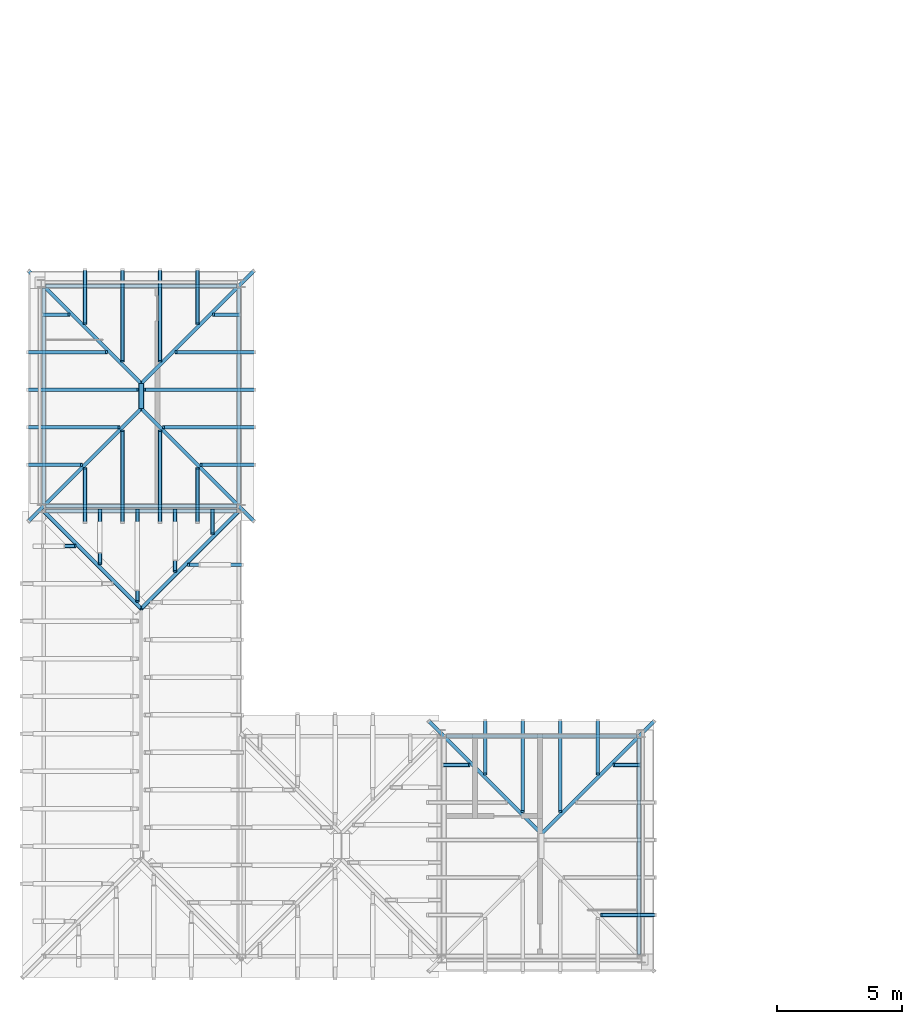
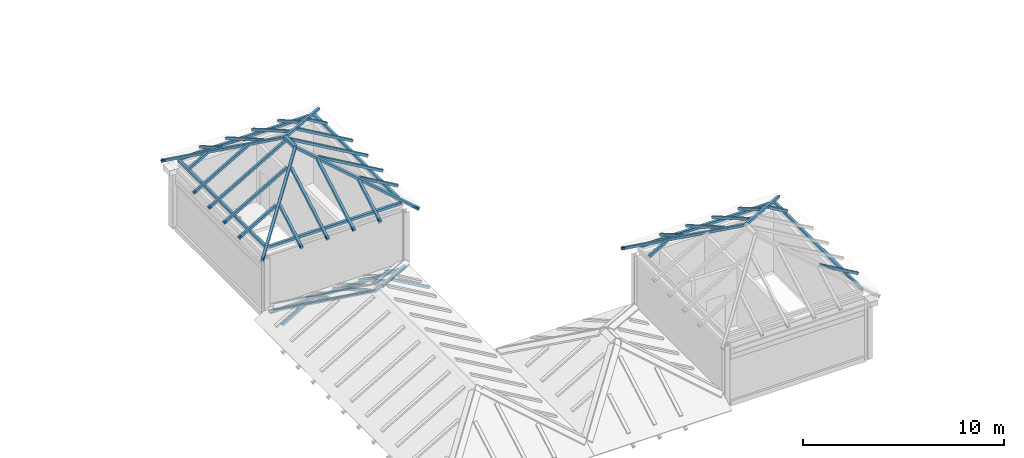
# One storey, part 16 of 111: 47 members.
"""IFC4 building model written with IfcOpenShell, lengths in metres."""

from ifc_helpers import new_model, si_unit, direction, frame, origin, origin_2d, place, context, subcontext, project, spatial, hollow_rectangle, extrude, material, material_profile, profile_set, type_object, element, save


model = new_model("IFC4")

# Units and contexts
model_context = context("Model", 3, precision=1e-05, world=origin(), true_north=direction((0.0, 1.0)))
body_context = subcontext(model_context, "Body", "Model", "MODEL_VIEW")
ifc_project = project(units=[si_unit("LENGTHUNIT", "METRE"), si_unit("AREAUNIT", "SQUARE_METRE"), si_unit("VOLUMEUNIT", "CUBIC_METRE"), si_unit("PLANEANGLEUNIT", "RADIAN"), si_unit("MASSUNIT", "GRAM", prefix="KILO")], contexts=[model_context])

# Site, building, storey
site_placement = place(None, origin())
site = spatial("IfcSite", under=ifc_project, at=site_placement, CompositionType="ELEMENT")
building_placement = place(site_placement, origin())
building = spatial("IfcBuilding", under=site, at=building_placement, Name="Kallimachos Central Library", CompositionType="ELEMENT")
storey_placement = place(building_placement, frame((0.0, 0.0, 14.39990234375)))
storey = spatial("IfcBuildingStorey", under=building, at=storey_placement, Name="L03", CompositionType="ELEMENT", Elevation=14.39990234375)

# Members
ifc_material_1 = material(Name="Steel S355J2H", Category="steel")
ifc_material_profile_1 = material_profile(ifc_material_1, hollow_rectangle(XDim=0.14990234375, YDim=0.14990234375, WallThickness=0.010009765625, InnerFilletRadius=0.010009765625, OuterFilletRadius=0.014892578125, at=origin_2d()), Name="SHS 150x150x10")
ifc_profile_set_1 = profile_set([ifc_material_profile_1], Name="Steel S355J2H")
member_type_1 = type_object("IfcMemberType", Name="SHS 150x150x10 eaves bearer", PredefinedType="STRINGER", material=ifc_profile_set_1)
for number, where, z_axis, x_axis, name in (
    (1, (6.175048828125, 26.89990234375, 0.22509765625), (1.0, 0.0, 0.0), (0.0, 1.0, 0.0), "R2 eaves bearer N"),
    (2, (22.175048828125, 17.89990234375, 4.0751953125), (1.0, 0.0, 0.0), (0.0, 1.0, 0.0), "R3 eaves bearer N"),
):
    element("IfcMember", number, at=place(storey_placement, frame(where, z_axis=z_axis, x_axis=x_axis)), inside=storey, type_object=member_type_1, Name=name, PredefinedType="STRINGER", context=body_context, shape_type="SweptSolid", body=[
        extrude(hollow_rectangle(XDim=0.14990234375, YDim=0.14990234375, WallThickness=0.010009765625, InnerFilletRadius=0.010009765625, OuterFilletRadius=0.014892578125, at=origin_2d()), origin(), (0.0, 0.0, 1.0), 7.64990234375),
    ])
member_1_placement = place(storey_placement, frame((29.89990234375, 9.175048828125, 4.0751953125), z_axis=(0.0, 1.0, 0.0), x_axis=(-1.0, 0.0, 0.0)))
element("IfcMember", 3, at=member_1_placement, inside=storey, type_object=member_type_1, Name="R3 eaves bearer E", PredefinedType="STRINGER", context=body_context, shape_type="SweptSolid", body=[
    extrude(hollow_rectangle(XDim=0.14990234375, YDim=0.14990234375, WallThickness=0.010009765625, InnerFilletRadius=0.010009765625, OuterFilletRadius=0.014892578125, at=origin_2d()), origin(), (0.0, 0.0, 1.0), 8.64990234375),
])
for number, where, z_axis, x_axis, name in (
    (4, (6.175048828125, 27.10009765625, 4.0751953125), (1.0, 0.0, 0.0), (0.0, 1.0, 0.0), "R4 eaves bearer S"),
    (5, (6.175048828125, 35.89990234375, 4.0751953125), (1.0, 0.0, 0.0), (0.0, 1.0, 0.0), "R4 eaves bearer N"),
):
    element("IfcMember", number, at=place(storey_placement, frame(where, z_axis=z_axis, x_axis=x_axis)), inside=storey, type_object=member_type_1, Name=name, PredefinedType="STRINGER", context=body_context, shape_type="SweptSolid", body=[
        extrude(hollow_rectangle(XDim=0.14990234375, YDim=0.14990234375, WallThickness=0.010009765625, InnerFilletRadius=0.010009765625, OuterFilletRadius=0.014892578125, at=origin_2d()), origin(), (0.0, 0.0, 1.0), 7.64990234375),
    ])
for number, where, z_axis, x_axis, name in (
    (6, (6.10009765625, 27.175048828125, 4.0751953125), (0.0, 1.0, 0.0), (-1.0, 0.0, 0.0), "R4 eaves bearer W"),
    (7, (13.89990234375, 27.175048828125, 4.0751953125), (0.0, 1.0, 0.0), (-1.0, 0.0, 0.0), "R4 eaves bearer E"),
):
    element("IfcMember", number, at=place(storey_placement, frame(where, z_axis=z_axis, x_axis=x_axis)), inside=storey, type_object=member_type_1, Name=name, PredefinedType="STRINGER", context=body_context, shape_type="SweptSolid", body=[
        extrude(hollow_rectangle(XDim=0.14990234375, YDim=0.14990234375, WallThickness=0.010009765625, InnerFilletRadius=0.010009765625, OuterFilletRadius=0.014892578125, at=origin_2d()), origin(), (0.0, 0.0, 1.0), 8.64990234375),
    ])
ifc_material_2 = material(Name="Steel S355J2H", Category="steel")
ifc_material_profile_2 = material_profile(ifc_material_2, hollow_rectangle(XDim=0.14990234375, YDim=0.14990234375, WallThickness=0.010009765625, InnerFilletRadius=0.010009765625, OuterFilletRadius=0.014892578125, at=origin_2d()), Name="SHS 150x150x10")
ifc_profile_set_2 = profile_set([ifc_material_profile_2], Name="Steel S355J2H")
member_type_2 = type_object("IfcMemberType", Name="SHS 150x150x10 rafter", PredefinedType="RAFTER", material=ifc_profile_set_2)
member_2_placement = place(storey_placement, frame((8.35009765625, 26.949951171875, 0.35791015625), z_axis=(0.0, -0.866017682129, 0.500013374061), x_axis=(1.0, 0.0, 0.0)))
element("IfcMember", 8, at=member_2_placement, inside=storey, type_object=member_type_2, Name="R2 rafter", PredefinedType="RAFTER", context=body_context, shape_type="SweptSolid", body=[
    extrude(hollow_rectangle(XDim=0.14990234375, YDim=0.14990234375, WallThickness=0.010009765625, InnerFilletRadius=0.010009765625, OuterFilletRadius=0.014892578125, at=origin_2d()), origin(), (0.0, 0.0, 1.0), 2.494140625),
])
member_3_placement = place(storey_placement, frame((9.85009765625, 26.949951171875, 0.35791015625), z_axis=(0.0, -0.866026851788, 0.499997491977), x_axis=(1.0, 0.0, 0.0)))
element("IfcMember", 9, at=member_3_placement, inside=storey, type_object=member_type_2, Name="R2 rafter", PredefinedType="RAFTER", context=body_context, shape_type="SweptSolid", body=[
    extrude(hollow_rectangle(XDim=0.14990234375, YDim=0.14990234375, WallThickness=0.010009765625, InnerFilletRadius=0.010009765625, OuterFilletRadius=0.014892578125, at=origin_2d()), origin(), (0.0, 0.0, 1.0), 4.22607421875),
])
member_4_placement = place(storey_placement, frame((11.35009765625, 26.949951171875, 0.35791015625), z_axis=(0.0, -0.866039595027, 0.499975419241), x_axis=(1.0, 0.0, 0.0)))
element("IfcMember", 10, at=member_4_placement, inside=storey, type_object=member_type_2, Name="R2 rafter", PredefinedType="RAFTER", context=body_context, shape_type="SweptSolid", body=[
    extrude(hollow_rectangle(XDim=0.14990234375, YDim=0.14990234375, WallThickness=0.010009765625, InnerFilletRadius=0.010009765625, OuterFilletRadius=0.014892578125, at=origin_2d()), origin(), (0.0, 0.0, 1.0), 2.840576171875),
])
member_5_placement = place(storey_placement, frame((12.85009765625, 26.949951171875, 0.35791015625), z_axis=(0.0, -0.866038875684, 0.49997666526), x_axis=(1.0, 0.0, 0.0)))
element("IfcMember", 11, at=member_5_placement, inside=storey, type_object=member_type_2, Name="R2 rafter", PredefinedType="RAFTER", context=body_context, shape_type="SweptSolid", body=[
    extrude(hollow_rectangle(XDim=0.14990234375, YDim=0.14990234375, WallThickness=0.010009765625, InnerFilletRadius=0.010009765625, OuterFilletRadius=0.014892578125, at=origin_2d()), origin(), (0.0, 0.0, 1.0), 1.1083984375),
])
member_6_placement = place(storey_placement, frame((6.050048828125, 25.5, 0.35791015625), z_axis=(0.866029704776, 0.0, 0.49999255039), x_axis=(0.0, 1.0, 0.0)))
element("IfcMember", 12, at=member_6_placement, inside=storey, type_object=member_type_2, Name="R2 rafter", PredefinedType="RAFTER", context=body_context, shape_type="SweptSolid", body=[
    extrude(hollow_rectangle(XDim=0.14990234375, YDim=0.14990234375, WallThickness=0.010009765625, InnerFilletRadius=0.010009765625, OuterFilletRadius=0.014892578125, at=origin_2d()), origin(), (0.0, 0.0, 1.0), 1.5126953125),
])
for number, where, z_axis, x_axis, name in (
    (13, (14.050048828125, 24.75, 0.300048828125), (-0.866042152399, 0.0, 0.499970989427), (0.0, -1.0, 0.0), "R2 rafter"),
    (14, (23.75, 18.550048828125, 3.861328125), (0.0, -0.866042152399, 0.499970989427), (1.0, 0.0, 0.0), "R3 rafter"),
):
    element("IfcMember", number, at=place(storey_placement, frame(where, z_axis=z_axis, x_axis=x_axis)), inside=storey, type_object=member_type_2, Name=name, PredefinedType="RAFTER", context=body_context, shape_type="SweptSolid", body=[
        extrude(hollow_rectangle(XDim=0.14990234375, YDim=0.14990234375, WallThickness=0.010009765625, InnerFilletRadius=0.010009765625, OuterFilletRadius=0.014892578125, at=origin_2d()), origin(), (0.0, 0.0, 1.0), 2.494384765625),
    ])
for number, where, z_axis, x_axis, name in (
    (15, (25.25, 18.550048828125, 3.861328125), (0.0, -0.866016279763, 0.500015802937), (1.0, 0.0, 0.0), "R3 rafter"),
    (16, (26.75, 18.550048828125, 3.861328125), (0.0, -0.866016279763, 0.500015802937), (1.0, 0.0, 0.0), "R3 rafter"),
):
    element("IfcMember", number, at=place(storey_placement, frame(where, z_axis=z_axis, x_axis=x_axis)), inside=storey, type_object=member_type_2, Name=name, PredefinedType="RAFTER", context=body_context, shape_type="SweptSolid", body=[
        extrude(hollow_rectangle(XDim=0.14990234375, YDim=0.14990234375, WallThickness=0.010009765625, InnerFilletRadius=0.010009765625, OuterFilletRadius=0.014892578125, at=origin_2d()), origin(), (0.0, 0.0, 1.0), 4.226318359375),
    ])
member_7_placement = place(storey_placement, frame((28.25, 18.550048828125, 3.861328125), z_axis=(0.0, -0.866042152399, 0.499970989427), x_axis=(1.0, 0.0, 0.0)))
element("IfcMember", 17, at=member_7_placement, inside=storey, type_object=member_type_2, Name="R3 rafter", PredefinedType="RAFTER", context=body_context, shape_type="SweptSolid", body=[
    extrude(hollow_rectangle(XDim=0.14990234375, YDim=0.14990234375, WallThickness=0.010009765625, InnerFilletRadius=0.010009765625, OuterFilletRadius=0.014892578125, at=origin_2d()), origin(), (0.0, 0.0, 1.0), 2.494384765625),
])
member_8_placement = place(storey_placement, frame((22.050048828125, 16.75, 4.207763671875), z_axis=(0.866012869334, 0.0, 0.500021709677), x_axis=(0.0, 1.0, 0.0)))
element("IfcMember", 18, at=member_8_placement, inside=storey, type_object=member_type_2, Name="R3 rafter", PredefinedType="RAFTER", context=body_context, shape_type="SweptSolid", body=[
    extrude(hollow_rectangle(XDim=0.14990234375, YDim=0.14990234375, WallThickness=0.010009765625, InnerFilletRadius=0.010009765625, OuterFilletRadius=0.014892578125, at=origin_2d()), origin(), (0.0, 0.0, 1.0), 1.22412109375),
])
member_9_placement = place(storey_placement, frame((30.550048828125, 10.75, 3.861328125), z_axis=(-0.866042152399, 0.0, 0.499970989427), x_axis=(0.0, -1.0, 0.0)))
element("IfcMember", 19, at=member_9_placement, inside=storey, type_object=member_type_2, Name="R3 rafter", PredefinedType="RAFTER", context=body_context, shape_type="SweptSolid", body=[
    extrude(hollow_rectangle(XDim=0.14990234375, YDim=0.14990234375, WallThickness=0.010009765625, InnerFilletRadius=0.010009765625, OuterFilletRadius=0.014892578125, at=origin_2d()), origin(), (0.0, 0.0, 1.0), 2.494384765625),
])
member_10_placement = place(storey_placement, frame((29.949951171875, 16.75, 4.207763671875), z_axis=(-0.866012869334, 0.0, 0.500021709677), x_axis=(0.0, -1.0, 0.0)))
element("IfcMember", 20, at=member_10_placement, inside=storey, type_object=member_type_2, Name="R3 rafter", PredefinedType="RAFTER", context=body_context, shape_type="SweptSolid", body=[
    extrude(hollow_rectangle(XDim=0.14990234375, YDim=0.14990234375, WallThickness=0.010009765625, InnerFilletRadius=0.010009765625, OuterFilletRadius=0.014892578125, at=origin_2d()), origin(), (0.0, 0.0, 1.0), 1.22412109375),
])
member_11_placement = place(storey_placement, frame((7.75, 26.449951171875, 3.861328125), z_axis=(0.0, 0.866042152399, 0.499970989427), x_axis=(-1.0, 0.0, 0.0)))
element("IfcMember", 21, at=member_11_placement, inside=storey, type_object=member_type_2, Name="R4 rafter", PredefinedType="RAFTER", context=body_context, shape_type="SweptSolid", body=[
    extrude(hollow_rectangle(XDim=0.14990234375, YDim=0.14990234375, WallThickness=0.010009765625, InnerFilletRadius=0.010009765625, OuterFilletRadius=0.014892578125, at=origin_2d()), origin(), (0.0, 0.0, 1.0), 2.494384765625),
])
for number, where, z_axis, x_axis, name in (
    (22, (9.25, 26.449951171875, 3.861328125), (0.0, 0.866016279763, 0.500015802937), (-1.0, 0.0, 0.0), "R4 rafter"),
    (23, (10.75, 26.449951171875, 3.861328125), (0.0, 0.866016279763, 0.500015802937), (-1.0, 0.0, 0.0), "R4 rafter"),
):
    element("IfcMember", number, at=place(storey_placement, frame(where, z_axis=z_axis, x_axis=x_axis)), inside=storey, type_object=member_type_2, Name=name, PredefinedType="RAFTER", context=body_context, shape_type="SweptSolid", body=[
        extrude(hollow_rectangle(XDim=0.14990234375, YDim=0.14990234375, WallThickness=0.010009765625, InnerFilletRadius=0.010009765625, OuterFilletRadius=0.014892578125, at=origin_2d()), origin(), (0.0, 0.0, 1.0), 4.226318359375),
    ])
for number, where, z_axis, x_axis, name in (
    (24, (12.25, 26.449951171875, 3.861328125), (0.0, 0.866042152399, 0.499970989427), (-1.0, 0.0, 0.0), "R4 rafter"),
    (25, (7.75, 36.550048828125, 3.861328125), (0.0, -0.866042152399, 0.499970989427), (1.0, 0.0, 0.0), "R4 rafter"),
):
    element("IfcMember", number, at=place(storey_placement, frame(where, z_axis=z_axis, x_axis=x_axis)), inside=storey, type_object=member_type_2, Name=name, PredefinedType="RAFTER", context=body_context, shape_type="SweptSolid", body=[
        extrude(hollow_rectangle(XDim=0.14990234375, YDim=0.14990234375, WallThickness=0.010009765625, InnerFilletRadius=0.010009765625, OuterFilletRadius=0.014892578125, at=origin_2d()), origin(), (0.0, 0.0, 1.0), 2.494384765625),
    ])
for number, where, z_axis, x_axis, name in (
    (26, (9.25, 36.550048828125, 3.861328125), (0.0, -0.866016279763, 0.500015802937), (1.0, 0.0, 0.0), "R4 rafter"),
    (27, (10.75, 36.550048828125, 3.861328125), (0.0, -0.866016279763, 0.500015802937), (1.0, 0.0, 0.0), "R4 rafter"),
):
    element("IfcMember", number, at=place(storey_placement, frame(where, z_axis=z_axis, x_axis=x_axis)), inside=storey, type_object=member_type_2, Name=name, PredefinedType="RAFTER", context=body_context, shape_type="SweptSolid", body=[
        extrude(hollow_rectangle(XDim=0.14990234375, YDim=0.14990234375, WallThickness=0.010009765625, InnerFilletRadius=0.010009765625, OuterFilletRadius=0.014892578125, at=origin_2d()), origin(), (0.0, 0.0, 1.0), 4.226318359375),
    ])
for number, where, z_axis, x_axis, name in (
    (28, (12.25, 36.550048828125, 3.861328125), (0.0, -0.866042152399, 0.499970989427), (1.0, 0.0, 0.0), "R4 rafter"),
    (29, (5.449951171875, 28.75, 3.861328125), (0.866042152399, 0.0, 0.499970989427), (0.0, 1.0, 0.0), "R4 rafter"),
):
    element("IfcMember", number, at=place(storey_placement, frame(where, z_axis=z_axis, x_axis=x_axis)), inside=storey, type_object=member_type_2, Name=name, PredefinedType="RAFTER", context=body_context, shape_type="SweptSolid", body=[
        extrude(hollow_rectangle(XDim=0.14990234375, YDim=0.14990234375, WallThickness=0.010009765625, InnerFilletRadius=0.010009765625, OuterFilletRadius=0.014892578125, at=origin_2d()), origin(), (0.0, 0.0, 1.0), 2.494384765625),
    ])
member_12_placement = place(storey_placement, frame((5.449951171875, 30.25, 3.861328125), z_axis=(0.866016279763, 0.0, 0.500015802937), x_axis=(0.0, 1.0, 0.0)))
element("IfcMember", 30, at=member_12_placement, inside=storey, type_object=member_type_2, Name="R4 rafter", PredefinedType="RAFTER", context=body_context, shape_type="SweptSolid", body=[
    extrude(hollow_rectangle(XDim=0.14990234375, YDim=0.14990234375, WallThickness=0.010009765625, InnerFilletRadius=0.010009765625, OuterFilletRadius=0.014892578125, at=origin_2d()), origin(), (0.0, 0.0, 1.0), 4.226318359375),
])
member_13_placement = place(storey_placement, frame((5.449951171875, 31.75, 3.861328125), z_axis=(0.866030702899, 0.0, 0.499990821553), x_axis=(0.0, 1.0, 0.0)))
element("IfcMember", 31, at=member_13_placement, inside=storey, type_object=member_type_2, Name="R4 rafter", PredefinedType="RAFTER", context=body_context, shape_type="SweptSolid", body=[
    extrude(hollow_rectangle(XDim=0.14990234375, YDim=0.14990234375, WallThickness=0.010009765625, InnerFilletRadius=0.010009765625, OuterFilletRadius=0.014892578125, at=origin_2d()), origin(), (0.0, 0.0, 1.0), 5.09228515625),
])
member_14_placement = place(storey_placement, frame((5.449951171875, 33.25, 3.861328125), z_axis=(0.866031831963, 0.0, 0.499988865904), x_axis=(0.0, 1.0, 0.0)))
element("IfcMember", 32, at=member_14_placement, inside=storey, type_object=member_type_2, Name="R4 rafter", PredefinedType="RAFTER", context=body_context, shape_type="SweptSolid", body=[
    extrude(hollow_rectangle(XDim=0.14990234375, YDim=0.14990234375, WallThickness=0.010009765625, InnerFilletRadius=0.010009765625, OuterFilletRadius=0.014892578125, at=origin_2d()), origin(), (0.0, 0.0, 1.0), 3.64892578125),
])
member_15_placement = place(storey_placement, frame((6.050048828125, 34.75, 4.207763671875), z_axis=(0.866012869334, 0.0, 0.500021709677), x_axis=(0.0, 1.0, 0.0)))
element("IfcMember", 33, at=member_15_placement, inside=storey, type_object=member_type_2, Name="R4 rafter", PredefinedType="RAFTER", context=body_context, shape_type="SweptSolid", body=[
    extrude(hollow_rectangle(XDim=0.14990234375, YDim=0.14990234375, WallThickness=0.010009765625, InnerFilletRadius=0.010009765625, OuterFilletRadius=0.014892578125, at=origin_2d()), origin(), (0.0, 0.0, 1.0), 1.22412109375),
])
member_16_placement = place(storey_placement, frame((14.550048828125, 28.75, 3.861328125), z_axis=(-0.866042152399, 0.0, 0.499970989427), x_axis=(0.0, -1.0, 0.0)))
element("IfcMember", 34, at=member_16_placement, inside=storey, type_object=member_type_2, Name="R4 rafter", PredefinedType="RAFTER", context=body_context, shape_type="SweptSolid", body=[
    extrude(hollow_rectangle(XDim=0.14990234375, YDim=0.14990234375, WallThickness=0.010009765625, InnerFilletRadius=0.010009765625, OuterFilletRadius=0.014892578125, at=origin_2d()), origin(), (0.0, 0.0, 1.0), 2.494384765625),
])
member_17_placement = place(storey_placement, frame((14.550048828125, 30.25, 3.861328125), z_axis=(-0.866016279763, 0.0, 0.500015802937), x_axis=(0.0, -1.0, 0.0)))
element("IfcMember", 35, at=member_17_placement, inside=storey, type_object=member_type_2, Name="R4 rafter", PredefinedType="RAFTER", context=body_context, shape_type="SweptSolid", body=[
    extrude(hollow_rectangle(XDim=0.14990234375, YDim=0.14990234375, WallThickness=0.010009765625, InnerFilletRadius=0.010009765625, OuterFilletRadius=0.014892578125, at=origin_2d()), origin(), (0.0, 0.0, 1.0), 4.226318359375),
])
member_18_placement = place(storey_placement, frame((14.550048828125, 31.75, 3.861328125), z_axis=(-0.866030702899, 0.0, 0.499990821553), x_axis=(0.0, -1.0, 0.0)))
element("IfcMember", 36, at=member_18_placement, inside=storey, type_object=member_type_2, Name="R4 rafter", PredefinedType="RAFTER", context=body_context, shape_type="SweptSolid", body=[
    extrude(hollow_rectangle(XDim=0.14990234375, YDim=0.14990234375, WallThickness=0.010009765625, InnerFilletRadius=0.010009765625, OuterFilletRadius=0.014892578125, at=origin_2d()), origin(), (0.0, 0.0, 1.0), 5.09228515625),
])
member_19_placement = place(storey_placement, frame((14.550048828125, 33.25, 3.861328125), z_axis=(-0.866031831963, 0.0, 0.499988865904), x_axis=(0.0, -1.0, 0.0)))
element("IfcMember", 37, at=member_19_placement, inside=storey, type_object=member_type_2, Name="R4 rafter", PredefinedType="RAFTER", context=body_context, shape_type="SweptSolid", body=[
    extrude(hollow_rectangle(XDim=0.14990234375, YDim=0.14990234375, WallThickness=0.010009765625, InnerFilletRadius=0.010009765625, OuterFilletRadius=0.014892578125, at=origin_2d()), origin(), (0.0, 0.0, 1.0), 3.64892578125),
])
member_20_placement = place(storey_placement, frame((13.949951171875, 34.75, 4.207763671875), z_axis=(-0.866012869334, 0.0, 0.500021709677), x_axis=(0.0, -1.0, 0.0)))
element("IfcMember", 38, at=member_20_placement, inside=storey, type_object=member_type_2, Name="R4 rafter", PredefinedType="RAFTER", context=body_context, shape_type="SweptSolid", body=[
    extrude(hollow_rectangle(XDim=0.14990234375, YDim=0.14990234375, WallThickness=0.010009765625, InnerFilletRadius=0.010009765625, OuterFilletRadius=0.014892578125, at=origin_2d()), origin(), (0.0, 0.0, 1.0), 1.22412109375),
])
ifc_material_3 = material(Name="Steel S355J2H", Category="steel")
ifc_material_profile_3 = material_profile(ifc_material_3, hollow_rectangle(XDim=0.14990234375, YDim=0.14990234375, WallThickness=0.010009765625, InnerFilletRadius=0.010009765625, OuterFilletRadius=0.014892578125, at=origin_2d()), Name="SHS 150x150x10")
ifc_profile_set_3 = profile_set([ifc_material_profile_3], Name="Steel S355J2H")
member_type_3 = type_object("IfcMemberType", Name="SHS 200x200x10 hip rafter", PredefinedType="RAFTER", material=ifc_profile_set_3)
for number, where, z_axis, x_axis, name in (
    (39, (6.10009765625, 26.89990234375, 0.3271484375), (0.65464954549, -0.65464954549, 0.377978762868), (0.707106781187, 0.707106781187, 0.0), "R2 hip"),
    (40, (13.89990234375, 26.89990234375, 0.3271484375), (-0.65464954549, -0.65464954549, 0.377978762868), (0.707106781187, -0.707106781187, 0.0), "R2 hip"),
):
    element("IfcMember", number, at=place(storey_placement, frame(where, z_axis=z_axis, x_axis=x_axis)), inside=storey, type_object=member_type_3, Name=name, PredefinedType="RAFTER", context=body_context, shape_type="SweptSolid", body=[
        extrude(hollow_rectangle(XDim=0.14990234375, YDim=0.14990234375, WallThickness=0.010009765625, InnerFilletRadius=0.010009765625, OuterFilletRadius=0.014892578125, at=origin_2d()), origin(), (0.0, 0.0, 1.0), 5.957275390625),
    ])
for number, where, z_axis, x_axis, name in (
    (41, (21.5, 18.5, 3.830810546875), (0.654651211404, -0.654651211404, 0.377972992175), (0.707106781187, 0.707106781187, 0.0), "R3 hip"),
    (42, (30.5, 18.5, 3.830810546875), (-0.654651211404, -0.654651211404, 0.377972992175), (0.707106781187, -0.707106781187, 0.0), "R3 hip"),
    (43, (5.5, 26.5, 3.830810546875), (0.654651211404, 0.654651211404, 0.377972992175), (-0.707106781187, 0.707106781187, 0.0), "R4 hip"),
    (44, (14.5, 26.5, 3.830810546875), (-0.654651211404, 0.654651211404, 0.377972992175), (-0.707106781187, -0.707106781187, 0.0), "R4 hip"),
    (45, (5.5, 36.5, 3.830810546875), (0.654651211404, -0.654651211404, 0.377972992175), (0.707106781187, 0.707106781187, 0.0), "R4 hip"),
    (46, (14.5, 36.5, 3.830810546875), (-0.654651211404, -0.654651211404, 0.377972992175), (0.707106781187, -0.707106781187, 0.0), "R4 hip"),
):
    element("IfcMember", number, at=place(storey_placement, frame(where, z_axis=z_axis, x_axis=x_axis)), inside=storey, type_object=member_type_3, Name=name, PredefinedType="RAFTER", context=body_context, shape_type="SweptSolid", body=[
        extrude(hollow_rectangle(XDim=0.14990234375, YDim=0.14990234375, WallThickness=0.010009765625, InnerFilletRadius=0.010009765625, OuterFilletRadius=0.014892578125, at=origin_2d()), origin(), (0.0, 0.0, 1.0), 6.873779296875),
    ])
ifc_material_4 = material(Name="Steel S355J2H", Category="steel")
ifc_material_profile_4 = material_profile(ifc_material_4, hollow_rectangle(XDim=0.199951171875, YDim=0.199951171875, WallThickness=0.010009765625, InnerFilletRadius=0.010009765625, OuterFilletRadius=0.014892578125, at=origin_2d()), Name="SHS 200x200x10")
ifc_profile_set_4 = profile_set([ifc_material_profile_4], Name="Steel S355J2H")
member_type_4 = type_object("IfcMemberType", Name="SHS 200x200x10 ridge beam", PredefinedType="STRINGER", material=ifc_profile_set_4)
member_21_placement = place(storey_placement, frame((10.0, 31.0, 6.422607421875), z_axis=(0.0, 1.0, 0.0), x_axis=(-1.0, 0.0, 0.0)))
element("IfcMember", 47, at=member_21_placement, inside=storey, type_object=member_type_4, Name="R4 ridge", PredefinedType="STRINGER", context=body_context, shape_type="SweptSolid", body=[
    extrude(hollow_rectangle(XDim=0.199951171875, YDim=0.199951171875, WallThickness=0.010009765625, InnerFilletRadius=0.010009765625, OuterFilletRadius=0.014892578125, at=origin_2d()), origin(), (0.0, 0.0, 1.0), 1.0),
])

save(model, "model.ifc")
